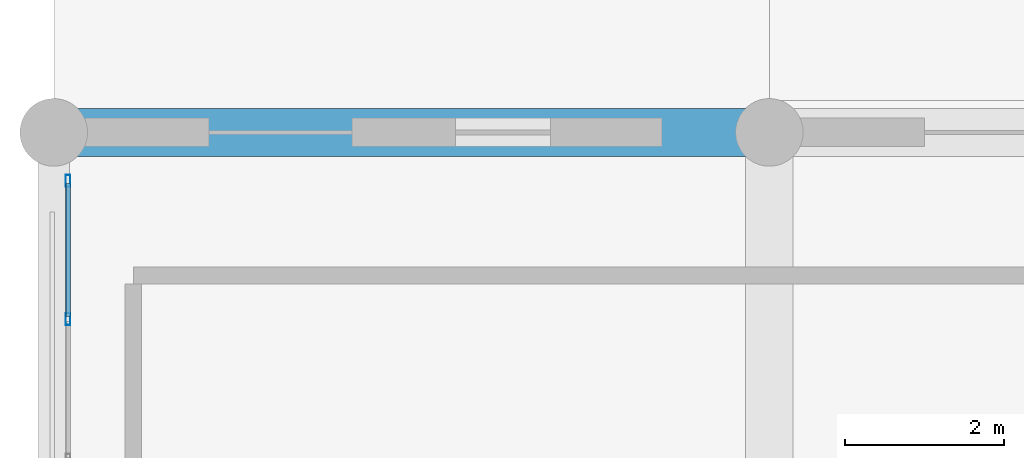
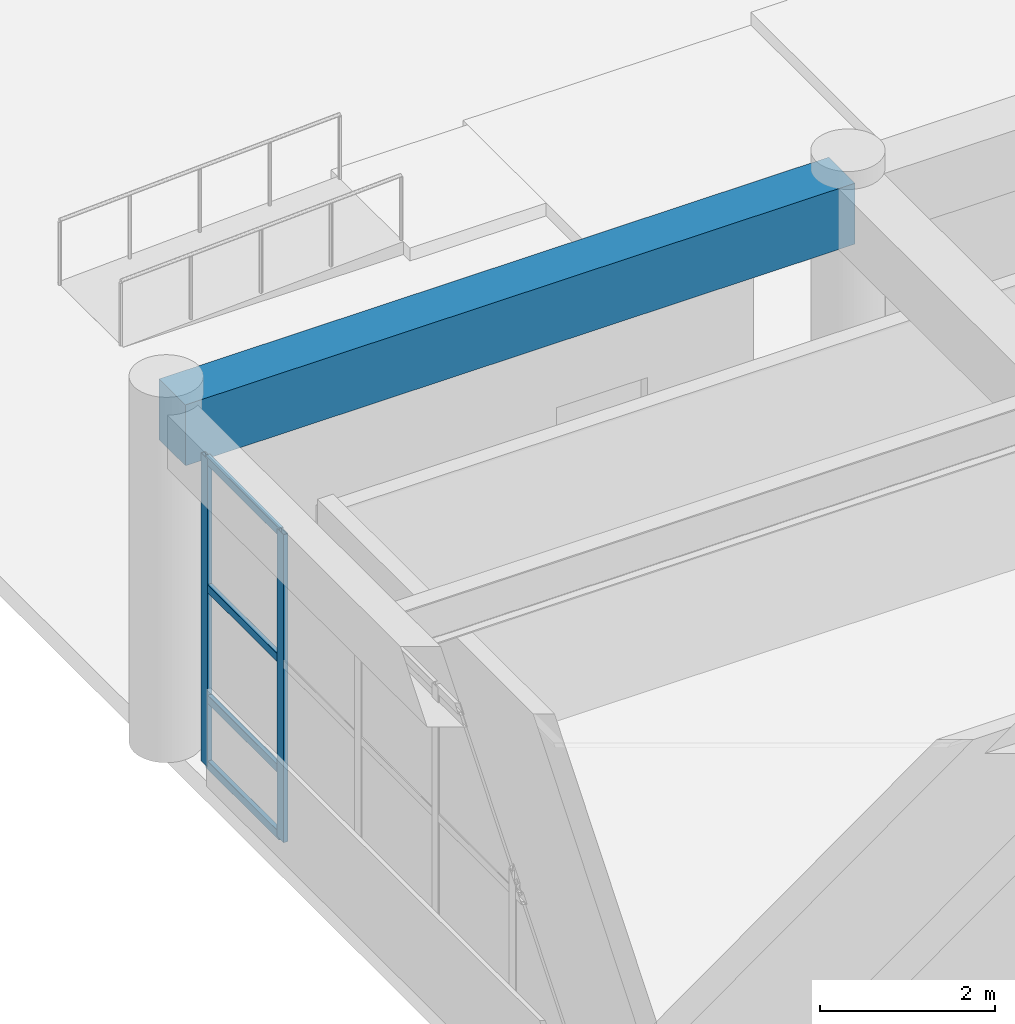
# One storey, part 23 of 128: 6 members, 1 beam, 1 element without a shape of its own.
"""IFC4 building model written with IfcOpenShell, lengths in metres."""

from ifc_helpers import new_model, si_unit, direction, frame, origin, origin_2d, place, context, subcontext, project, spatial, rectangle, hollow_rectangle, extrude, material, material_profile, profile_set, type_object, element, aggregate, save


model = new_model("IFC4")

# Units and contexts
model_context = context("Model", 3, precision=1e-05, world=origin(), true_north=direction((0.0, 1.0)))
body_context = subcontext(model_context, "Body", "Model", "MODEL_VIEW")
ifc_project = project(units=[si_unit("LENGTHUNIT", "METRE"), si_unit("AREAUNIT", "SQUARE_METRE"), si_unit("VOLUMEUNIT", "CUBIC_METRE"), si_unit("PLANEANGLEUNIT", "RADIAN"), si_unit("MASSUNIT", "GRAM", prefix="KILO")], contexts=[model_context])

# Site, building, storey
site_placement = place(None, origin())
site = spatial("IfcSite", under=ifc_project, at=site_placement, CompositionType="ELEMENT")
building_placement = place(site_placement, origin())
building = spatial("IfcBuilding", under=site, at=building_placement, Name="Miravela Opera House", CompositionType="ELEMENT")
storey_placement = place(building_placement, origin())
storey = spatial("IfcBuildingStorey", under=building, at=storey_placement, Name="L00", CompositionType="ELEMENT", Elevation=0.0)

# Curtain wall, members
ifc_material_1 = material(Name="Anodised architectural bronze aluminium 6063-T6", Category="aluminium")
curtain_wall_type = type_object("IfcCurtainWallType", Name="ARC-CW-07", PredefinedType="NOTDEFINED", material=ifc_material_1)
curtain_wall_placement = place(storey_placement, origin())
curtain_wall = element("IfcCurtainWall", 1, at=curtain_wall_placement, inside=storey, type_object=curtain_wall_type, Name="Courtyard Arcade Curtain Wall CW-L00-194", PredefinedType="NOTDEFINED")
ifc_material_profile_1 = material_profile(ifc_material_1, hollow_rectangle(XDim=0.06005859375, YDim=0.14990234375, WallThickness=0.00390625, InnerFilletRadius=0.001953125, OuterFilletRadius=0.00390625, at=origin_2d()), Name="CWM-60X150")
ifc_profile_set_1 = profile_set([ifc_material_profile_1])
member_type_1 = type_object("IfcMemberType", Name="ARC-CWM-150", PredefinedType="MULLION", material=ifc_profile_set_1)
member_1_placement = place(storey_placement, frame((0.179931640625, 25.652099609375, 0.0), z_axis=(0.0, 0.0, 1.0), x_axis=(-1.0, 0.0, 0.0)))
member_1 = element("IfcMember", 2, at=member_1_placement, type_object=member_type_1, Name="CW-07 mullion 5", PredefinedType="MULLION", context=body_context, shape_type="SweptSolid", body=[
    extrude(hollow_rectangle(XDim=0.06005859375, YDim=0.14990234375, WallThickness=0.00390625, InnerFilletRadius=0.001953125, OuterFilletRadius=0.00390625, at=origin_2d()), origin(), (0.0, 0.0, 1.0), 4.300048828125),
])
member_2_placement = place(storey_placement, frame((0.179931640625, 27.389892578125, 0.0), z_axis=(0.0, 0.0, 1.0), x_axis=(-1.0, 0.0, 0.0)))
member_2 = element("IfcMember", 3, at=member_2_placement, type_object=member_type_1, Name="CW-07 mullion 6", PredefinedType="MULLION", context=body_context, shape_type="SweptSolid", body=[
    extrude(hollow_rectangle(XDim=0.06005859375, YDim=0.14990234375, WallThickness=0.00390625, InnerFilletRadius=0.001953125, OuterFilletRadius=0.00390625, at=origin_2d()), origin(), (0.0, 0.0, 1.0), 4.300048828125),
])
ifc_material_profile_2 = material_profile(ifc_material_1, hollow_rectangle(XDim=0.06005859375, YDim=0.114990234375, WallThickness=0.00390625, InnerFilletRadius=0.001953125, OuterFilletRadius=0.00390625, at=origin_2d()), Name="CWT-60X115")
ifc_profile_set_2 = profile_set([ifc_material_profile_2])
member_type_2 = type_object("IfcMemberType", Name="ARC-CWT-115", PredefinedType="USERDEFINED", material=ifc_profile_set_2)
member_3_placement = place(storey_placement, frame((0.179931640625, 25.681884765625, 0.030029296875), z_axis=(0.0, 1.0, 0.0), x_axis=(-1.0, 0.0, 0.0)))
member_3 = element("IfcMember", 4, at=member_3_placement, type_object=member_type_2, Name="CW-07 transom 5.1", ObjectType="TRANSOM", PredefinedType="USERDEFINED", context=body_context, shape_type="SweptSolid", body=[
    extrude(hollow_rectangle(XDim=0.06005859375, YDim=0.114990234375, WallThickness=0.00390625, InnerFilletRadius=0.001953125, OuterFilletRadius=0.00390625, at=origin_2d()), origin(), (0.0, 0.0, 1.0), 1.67822265625),
])
member_4_placement = place(storey_placement, frame((0.179931640625, 25.681884765625, 0.949951171875), z_axis=(0.0, 1.0, 0.0), x_axis=(-1.0, 0.0, 0.0)))
member_4 = element("IfcMember", 5, at=member_4_placement, type_object=member_type_2, Name="CW-07 transom 5.2", ObjectType="TRANSOM", PredefinedType="USERDEFINED", context=body_context, shape_type="SweptSolid", body=[
    extrude(hollow_rectangle(XDim=0.06005859375, YDim=0.114990234375, WallThickness=0.00390625, InnerFilletRadius=0.001953125, OuterFilletRadius=0.00390625, at=origin_2d()), origin(), (0.0, 0.0, 1.0), 1.67822265625),
])
member_5_placement = place(storey_placement, frame((0.179931640625, 25.681884765625, 2.493896484375), z_axis=(0.0, 1.0, 0.0), x_axis=(-1.0, 0.0, 0.0)))
member_5 = element("IfcMember", 6, at=member_5_placement, type_object=member_type_2, Name="CW-07 transom 5.3", ObjectType="TRANSOM", PredefinedType="USERDEFINED", context=body_context, shape_type="SweptSolid", body=[
    extrude(hollow_rectangle(XDim=0.06005859375, YDim=0.114990234375, WallThickness=0.00390625, InnerFilletRadius=0.001953125, OuterFilletRadius=0.00390625, at=origin_2d()), origin(), (0.0, 0.0, 1.0), 1.67822265625),
])
member_6_placement = place(storey_placement, frame((0.179931640625, 25.681884765625, 4.27001953125), z_axis=(0.0, 1.0, 0.0), x_axis=(-1.0, 0.0, 0.0)))
member_6 = element("IfcMember", 7, at=member_6_placement, type_object=member_type_2, Name="CW-07 transom 5.4", ObjectType="TRANSOM", PredefinedType="USERDEFINED", context=body_context, shape_type="SweptSolid", body=[
    extrude(hollow_rectangle(XDim=0.06005859375, YDim=0.114990234375, WallThickness=0.00390625, InnerFilletRadius=0.001953125, OuterFilletRadius=0.00390625, at=origin_2d()), origin(), (0.0, 0.0, 1.0), 1.67822265625),
])
aggregate(curtain_wall, [member_1, member_2, member_3, member_4, member_5, member_6])

# Beam
ifc_material_2 = material(Name="Concrete C40/50", Category="concrete")
ifc_material_profile_3 = material_profile(ifc_material_2, rectangle(XDim=0.60009765625, YDim=0.85009765625, at=origin_2d()), Name="RC-BM-600X850")
ifc_profile_set_3 = profile_set([ifc_material_profile_3])
beam_type = type_object("IfcBeamType", Name="STR-BM-RC600X850", PredefinedType="BEAM", material=ifc_profile_set_3)
beam_placement = place(storey_placement, frame((0.080078125, 28.0, 4.425048828125), z_axis=(1.0, 0.0, 0.0), x_axis=(0.0, 1.0, 0.0)))
element("IfcBeam", 8, at=beam_placement, inside=storey, type_object=beam_type, Name="Floor Girder L00 1-2/D", PredefinedType="BEAM", context=body_context, shape_type="SweptSolid", body=[
    extrude(rectangle(XDim=0.60009765625, YDim=0.85009765625, at=origin_2d()), origin(), (0.0, 0.0, 1.0), 8.83984375),
])

save(model, "model.ifc")
